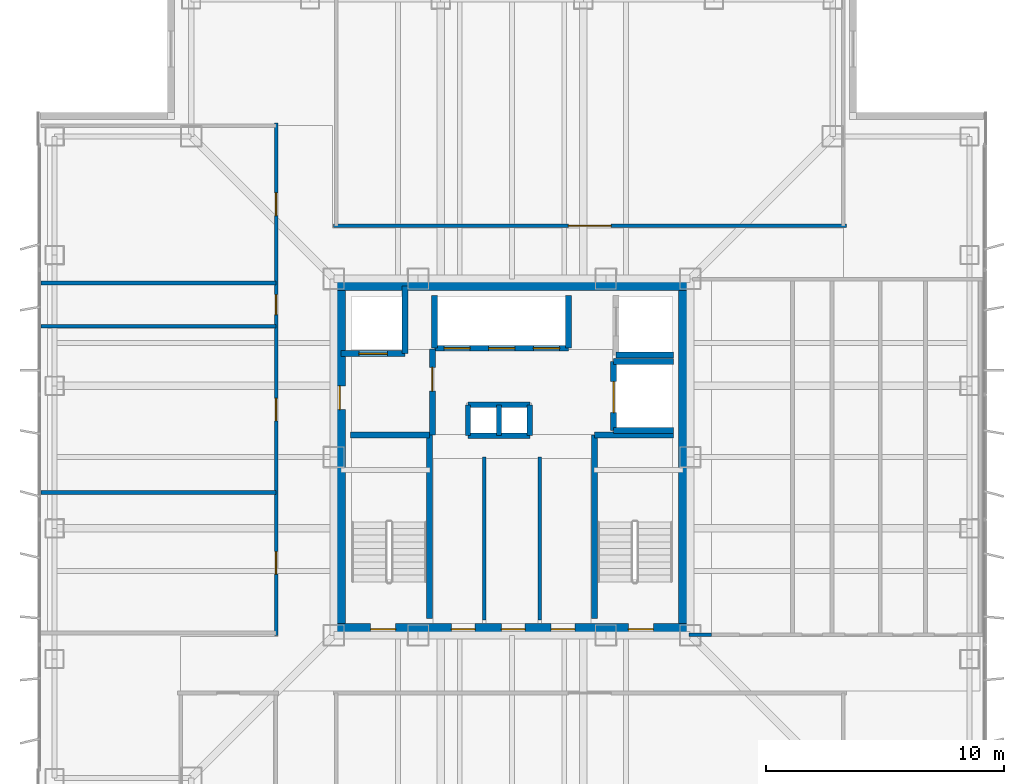
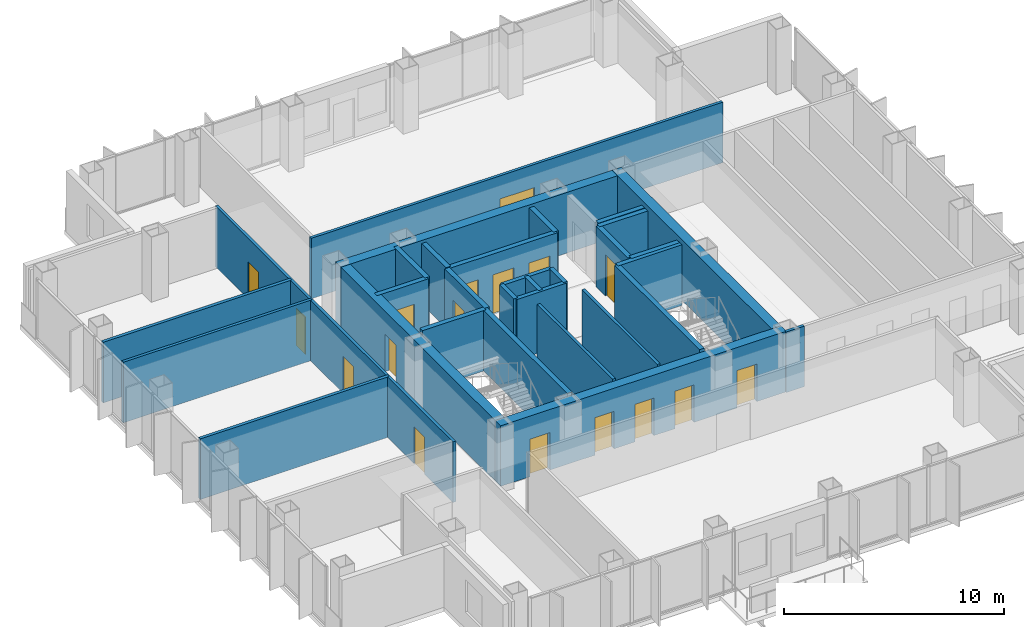
# One storey, part 9 of 13: 31 walls, 17 doors, 17 openings.
"""IFC4 building model written with IfcOpenShell, lengths in metres."""

from ifc_helpers import new_model, si_unit, direction, frame, frame_2d, origin, place, context, subcontext, project, spatial, rectangle, extrude, material, layer, layer_set, type_object, element, fill, save


model = new_model("IFC4")

# Units and contexts
model_context = context("Model", 3, precision=1e-05, world=origin(), true_north=direction((0.0, 1.0)))
body_context = subcontext(model_context, "Body", "Model", "MODEL_VIEW")
ifc_project = project(units=[si_unit("LENGTHUNIT", "METRE"), si_unit("AREAUNIT", "SQUARE_METRE"), si_unit("VOLUMEUNIT", "CUBIC_METRE"), si_unit("PLANEANGLEUNIT", "RADIAN"), si_unit("MASSUNIT", "GRAM", prefix="KILO")], contexts=[model_context])

# Site, building, storey
site_placement = place(None, origin())
site = spatial("IfcSite", under=ifc_project, at=site_placement, CompositionType="ELEMENT")
building_placement = place(site_placement, origin())
building = spatial("IfcBuilding", under=site, at=building_placement, Name="Trevonay Congress Spire", CompositionType="ELEMENT")
storey_placement = place(building_placement, frame((0.0, 0.0, 205.800048828125)))
storey = spatial("IfcBuildingStorey", under=building, at=storey_placement, Name="L53", CompositionType="ELEMENT", Elevation=205.800048828125)

# Wall, openings, doors
ifc_material_1 = material(Name="Concrete C50/60", Category="concrete")
ifc_layer_1 = layer(ifc_material_1, 0.5, Name="Concrete C50/60")
ifc_layer_set_1 = layer_set([ifc_layer_1], Name="Concrete C50/60")
wall_type_1 = type_object("IfcWallType", Name="WAL-CORE-500", PredefinedType="SHEAR", material=ifc_layer_set_1)
wall_1_placement = place(storey_placement, frame((-7.5, -7.25, 0.0), z_axis=(0.0, 0.0, 1.0), x_axis=(1.0, 0.0, 0.0)))
wall_1 = element("IfcWall", 1, at=wall_1_placement, inside=storey, type_object=wall_type_1, Name="L53 South structural core shear wall", PredefinedType="SHEAR", context=body_context, shape_type="SweptSolid", body=[
    extrude(rectangle(XDim=15.0, YDim=0.5, at=frame_2d((7.5, 0.0))), origin(), (0.0, 0.0, 1.0), 3.35986328125),
])
opening_1_placement = place(wall_1_placement, frame((1.550048828125, 0.0, 0.0)))
opening_1 = element("IfcOpeningElement", 2, at=opening_1_placement, cuts=wall_1, Name="Opening D05", PredefinedType="OPENING", context=body_context, shape_type="SweptSolid", body=[
    extrude(rectangle(XDim=1.050048828125, YDim=2.080078125, at=frame_2d((0.52490234375, 1.0400390625))), frame((0.0, 0.260009765625, 0.0), z_axis=(0.0, -1.0, 0.0), x_axis=(1.0, 0.0, 0.0)), (0.0, 0.0, 1.0), 0.52001953125),
])
opening_2_placement = place(wall_1_placement, frame((12.39990234375, 0.0, 0.0)))
opening_2 = element("IfcOpeningElement", 3, at=opening_2_placement, cuts=wall_1, Name="Opening D05", PredefinedType="OPENING", context=body_context, shape_type="SweptSolid", body=[
    extrude(rectangle(XDim=1.050048828125, YDim=2.080078125, at=frame_2d((0.52490234375, 1.0400390625))), frame((0.0, 0.260009765625, 0.0), z_axis=(0.0, -1.0, 0.0), x_axis=(1.0, 0.0, 0.0)), (0.0, 0.0, 1.0), 0.52001953125),
])
opening_3_placement = place(wall_1_placement, frame((4.949951171875, 0.0, 0.0)))
opening_3 = element("IfcOpeningElement", 4, at=opening_3_placement, cuts=wall_1, Name="Opening D06", PredefinedType="OPENING", context=body_context, shape_type="SweptSolid", body=[
    extrude(rectangle(XDim=1.0, YDim=2.080078125, at=frame_2d((0.5, 1.0400390625))), frame((0.0, 0.260009765625, 0.0), z_axis=(0.0, -1.0, 0.0), x_axis=(1.0, 0.0, 0.0)), (0.0, 0.0, 1.0), 0.52001953125),
])
opening_4_placement = place(wall_1_placement, frame((7.050048828125, 0.0, 0.0)))
opening_4 = element("IfcOpeningElement", 5, at=opening_4_placement, cuts=wall_1, Name="Opening D06", PredefinedType="OPENING", context=body_context, shape_type="SweptSolid", body=[
    extrude(rectangle(XDim=1.0, YDim=2.080078125, at=frame_2d((0.5, 1.0400390625))), frame((0.0, 0.260009765625, 0.0), z_axis=(0.0, -1.0, 0.0), x_axis=(1.0, 0.0, 0.0)), (0.0, 0.0, 1.0), 0.52001953125),
])
opening_5_placement = place(wall_1_placement, frame((9.14990234375, 0.0, 0.0)))
opening_5 = element("IfcOpeningElement", 6, at=opening_5_placement, cuts=wall_1, Name="Opening D06", PredefinedType="OPENING", context=body_context, shape_type="SweptSolid", body=[
    extrude(rectangle(XDim=1.0, YDim=2.080078125, at=frame_2d((0.5, 1.0400390625))), frame((0.0, 0.260009765625, 0.0), z_axis=(0.0, -1.0, 0.0), x_axis=(1.0, 0.0, 0.0)), (0.0, 0.0, 1.0), 0.52001953125),
])
ifc_material_2 = material(Name="Steel ASTM A572 Grade 50", Category="steel")
door_type_1 = type_object("IfcDoorType", Name="DOR-FIRE-100", OperationType="NOTDEFINED", PredefinedType="DOOR", material=ifc_material_2)
door_1_placement = place(opening_3_placement, origin())
door_1 = element("IfcDoor", 7, at=door_1_placement, inside=storey, type_object=door_type_1, Name="L53 South Core Room 1 Door", OperationType="SINGLE_SWING_RIGHT", OverallHeight=2.080078125, OverallWidth=1.0, PredefinedType="DOOR", context=body_context, shape_type="SweptSolid", body=[
    extrude(rectangle(XDim=1.0, YDim=2.080078125, at=frame_2d((0.5, 1.0400390625))), frame((0.0, 0.02490234375, 0.0), z_axis=(0.0, -1.0, 0.0), x_axis=(1.0, 0.0, 0.0)), (0.0, 0.0, 1.0), 0.050048828125),
])
fill(opening_3, door_1)
door_2_placement = place(opening_4_placement, origin())
door_2 = element("IfcDoor", 8, at=door_2_placement, inside=storey, type_object=door_type_1, Name="L53 South Core Room 2 Door", OperationType="SINGLE_SWING_LEFT", OverallHeight=2.080078125, OverallWidth=1.0, PredefinedType="DOOR", context=body_context, shape_type="SweptSolid", body=[
    extrude(rectangle(XDim=1.0, YDim=2.080078125, at=frame_2d((0.5, 1.0400390625))), frame((0.0, 0.02490234375, 0.0), z_axis=(0.0, -1.0, 0.0), x_axis=(1.0, 0.0, 0.0)), (0.0, 0.0, 1.0), 0.050048828125),
])
fill(opening_4, door_2)
door_3_placement = place(opening_5_placement, origin())
door_3 = element("IfcDoor", 9, at=door_3_placement, inside=storey, type_object=door_type_1, Name="L53 South Core Room 3 Door", OperationType="SINGLE_SWING_RIGHT", OverallHeight=2.080078125, OverallWidth=1.0, PredefinedType="DOOR", context=body_context, shape_type="SweptSolid", body=[
    extrude(rectangle(XDim=1.0, YDim=2.080078125, at=frame_2d((0.5, 1.0400390625))), frame((0.0, 0.02490234375, 0.0), z_axis=(0.0, -1.0, 0.0), x_axis=(1.0, 0.0, 0.0)), (0.0, 0.0, 1.0), 0.050048828125),
])
fill(opening_5, door_3)
door_type_2 = type_object("IfcDoorType", Name="DOR-STAIR-110", OperationType="NOTDEFINED", PredefinedType="DOOR", material=ifc_material_2)
door_4_placement = place(opening_1_placement, origin())
door_4 = element("IfcDoor", 10, at=door_4_placement, inside=storey, type_object=door_type_2, Name="L53 Protected Stair ST-1 Door", OperationType="SINGLE_SWING_LEFT", OverallHeight=2.080078125, OverallWidth=1.050048828125, PredefinedType="DOOR", context=body_context, shape_type="SweptSolid", body=[
    extrude(rectangle(XDim=1.050048828125, YDim=2.080078125, at=frame_2d((0.52490234375, 1.0400390625))), frame((0.0, 0.02490234375, 0.0), z_axis=(0.0, -1.0, 0.0), x_axis=(1.0, 0.0, 0.0)), (0.0, 0.0, 1.0), 0.050048828125),
])
fill(opening_1, door_4)
door_5_placement = place(opening_2_placement, origin())
door_5 = element("IfcDoor", 11, at=door_5_placement, inside=storey, type_object=door_type_2, Name="L53 Protected Stair ST-2 Door", OperationType="SINGLE_SWING_RIGHT", OverallHeight=2.080078125, OverallWidth=1.050048828125, PredefinedType="DOOR", context=body_context, shape_type="SweptSolid", body=[
    extrude(rectangle(XDim=1.050048828125, YDim=2.080078125, at=frame_2d((0.52490234375, 1.0400390625))), frame((0.0, 0.02490234375, 0.0), z_axis=(0.0, -1.0, 0.0), x_axis=(1.0, 0.0, 0.0)), (0.0, 0.0, 1.0), 0.050048828125),
])
fill(opening_2, door_5)

# Wall
wall_2_placement = place(storey_placement, frame((-7.5, 7.25, 0.0), z_axis=(0.0, 0.0, 1.0), x_axis=(1.0, 0.0, 0.0)))
element("IfcWall", 12, at=wall_2_placement, inside=storey, type_object=wall_type_1, Name="L53 North structural core shear wall", PredefinedType="SHEAR", context=body_context, shape_type="SweptSolid", body=[
    extrude(rectangle(XDim=15.0, YDim=0.5, at=frame_2d((7.5, 0.0))), origin(), (0.0, 0.0, 1.0), 3.35986328125),
])

# Wall, opening, door
wall_3_placement = place(storey_placement, frame((-7.25, -7.5, 0.0), z_axis=(0.0, 0.0, 1.0), x_axis=(0.0, 1.0, 0.0)))
wall_3 = element("IfcWall", 13, at=wall_3_placement, inside=storey, type_object=wall_type_1, Name="L53 West structural core shear wall", PredefinedType="SHEAR", context=body_context, shape_type="SweptSolid", body=[
    extrude(rectangle(XDim=15.0, YDim=0.5, at=frame_2d((7.5, 0.0))), origin(), (0.0, 0.0, 1.0), 3.35986328125),
])
opening_6_placement = place(wall_3_placement, frame((9.5, 0.0, 0.0)))
opening_6 = element("IfcOpeningElement", 14, at=opening_6_placement, cuts=wall_3, Name="Opening D06", PredefinedType="OPENING", context=body_context, shape_type="SweptSolid", body=[
    extrude(rectangle(XDim=1.0, YDim=2.080078125, at=frame_2d((0.5, 1.0400390625))), frame((0.0, 0.260009765625, 0.0), z_axis=(0.0, -1.0, 0.0), x_axis=(1.0, 0.0, 0.0)), (0.0, 0.0, 1.0), 0.52001953125),
])
door_6_placement = place(opening_6_placement, origin())
door_6 = element("IfcDoor", 15, at=door_6_placement, inside=storey, type_object=door_type_1, Name="L53 Firefighting Lift Lobby West Corridor Door", OperationType="SINGLE_SWING_LEFT", OverallHeight=2.080078125, OverallWidth=1.0, PredefinedType="DOOR", context=body_context, shape_type="SweptSolid", body=[
    extrude(rectangle(XDim=1.0, YDim=2.080078125, at=frame_2d((0.5, 1.0400390625))), frame((0.0, 0.02490234375, 0.0), z_axis=(0.0, -1.0, 0.0), x_axis=(1.0, 0.0, 0.0)), (0.0, 0.0, 1.0), 0.050048828125),
])
fill(opening_6, door_6)

# Wall
wall_4_placement = place(storey_placement, frame((7.25, -7.5, 0.0), z_axis=(0.0, 0.0, 1.0), x_axis=(0.0, 1.0, 0.0)))
element("IfcWall", 16, at=wall_4_placement, inside=storey, type_object=wall_type_1, Name="L53 East structural core shear wall", PredefinedType="SHEAR", context=body_context, shape_type="SweptSolid", body=[
    extrude(rectangle(XDim=15.0, YDim=0.5, at=frame_2d((7.5, 0.0))), origin(), (0.0, 0.0, 1.0), 3.35986328125),
])

# Wall, openings, doors
ifc_material_3 = material(Name="Concrete C40/50", Category="concrete")
ifc_layer_2 = layer(ifc_material_3, 0.14990234375, Name="Concrete C40/50")
ifc_layer_set_2 = layer_set([ifc_layer_2], Name="Concrete C40/50")
wall_type_2 = type_object("IfcWallType", Name="WAL-CORR-150", PredefinedType="PARTITIONING", material=ifc_layer_set_2)
wall_5_placement = place(storey_placement, frame((-9.929931640625, -7.52001953125, 0.0), z_axis=(0.0, 0.0, 1.0), x_axis=(0.0, 1.0, 0.0)))
wall_5 = element("IfcWall", 17, at=wall_5_placement, inside=storey, type_object=wall_type_2, Name="L53 interior wall WP-L53NW-COR", PredefinedType="PARTITIONING", context=body_context, shape_type="SweptSolid", body=[
    extrude(rectangle(XDim=21.590087890625, YDim=0.14990234375, at=frame_2d((10.794921875, 0.0))), origin(), (0.0, 0.0, 1.0), 3.35986328125),
])
opening_7_placement = place(wall_5_placement, frame((2.594970703125, 0.0, 0.0)))
opening_7 = element("IfcOpeningElement", 18, at=opening_7_placement, cuts=wall_5, Name="Opening D07", PredefinedType="OPENING", context=body_context, shape_type="SweptSolid", body=[
    extrude(rectangle(XDim=0.949951171875, YDim=2.06005859375, at=frame_2d((0.47509765625, 1.030029296875))), frame((0.0, 0.0849609375, 0.0), z_axis=(0.0, -1.0, 0.0), x_axis=(1.0, 0.0, 0.0)), (0.0, 0.0, 1.0), 0.169921875),
])
opening_8_placement = place(wall_5_placement, frame((9.044921875, 0.0, 0.0)))
opening_8 = element("IfcOpeningElement", 19, at=opening_8_placement, cuts=wall_5, Name="Opening D07", PredefinedType="OPENING", context=body_context, shape_type="SweptSolid", body=[
    extrude(rectangle(XDim=0.949951171875, YDim=2.06005859375, at=frame_2d((0.47509765625, 1.030029296875))), frame((0.0, 0.0849609375, 0.0), z_axis=(0.0, -1.0, 0.0), x_axis=(1.0, 0.0, 0.0)), (0.0, 0.0, 1.0), 0.169921875),
])
opening_9_placement = place(wall_5_placement, frame((13.510009765625, 0.0, 0.0)))
opening_9 = element("IfcOpeningElement", 20, at=opening_9_placement, cuts=wall_5, Name="Opening D10", PredefinedType="OPENING", context=body_context, shape_type="SweptSolid", body=[
    extrude(rectangle(XDim=0.85009765625, YDim=2.050048828125, at=frame_2d((0.425048828125, 1.02490234375))), frame((0.0, 0.0849609375, 0.0), z_axis=(0.0, -1.0, 0.0), x_axis=(1.0, 0.0, 0.0)), (0.0, 0.0, 1.0), 0.169921875),
])
opening_10_placement = place(wall_5_placement, frame((17.68505859375, 0.0, 0.0)))
opening_10 = element("IfcOpeningElement", 21, at=opening_10_placement, cuts=wall_5, Name="Opening D07", PredefinedType="OPENING", context=body_context, shape_type="SweptSolid", body=[
    extrude(rectangle(XDim=0.949951171875, YDim=2.06005859375, at=frame_2d((0.47509765625, 1.030029296875))), frame((0.0, 0.0849609375, 0.0), z_axis=(0.0, -1.0, 0.0), x_axis=(1.0, 0.0, 0.0)), (0.0, 0.0, 1.0), 0.169921875),
])
ifc_material_4 = material(Name="Pale Anodised Aluminium EN AW-6063-T6", Category="aluminium")
door_type_3 = type_object("IfcDoorType", Name="DOR-OFFICE-95", OperationType="NOTDEFINED", PredefinedType="DOOR", material=ifc_material_4)
door_7_placement = place(opening_7_placement, origin())
door_7 = element("IfcDoor", 22, at=door_7_placement, inside=storey, type_object=door_type_3, Name="L53 Hydrotherapy Lounge Door", OperationType="SINGLE_SWING_LEFT", OverallHeight=2.06005859375, OverallWidth=0.949951171875, PredefinedType="DOOR", context=body_context, shape_type="SweptSolid", body=[
    extrude(rectangle(XDim=0.949951171875, YDim=2.06005859375, at=frame_2d((0.47509765625, 1.030029296875))), frame((0.0, 0.02490234375, 0.0), z_axis=(0.0, -1.0, 0.0), x_axis=(1.0, 0.0, 0.0)), (0.0, 0.0, 1.0), 0.050048828125),
])
fill(opening_7, door_7)
door_8_placement = place(opening_8_placement, origin())
door_8 = element("IfcDoor", 23, at=door_8_placement, inside=storey, type_object=door_type_3, Name="L53 Spa Treatment Lounge Door", OperationType="SINGLE_SWING_RIGHT", OverallHeight=2.06005859375, OverallWidth=0.949951171875, PredefinedType="DOOR", context=body_context, shape_type="SweptSolid", body=[
    extrude(rectangle(XDim=0.949951171875, YDim=2.06005859375, at=frame_2d((0.47509765625, 1.030029296875))), frame((0.0, 0.02490234375, 0.0), z_axis=(0.0, -1.0, 0.0), x_axis=(1.0, 0.0, 0.0)), (0.0, 0.0, 1.0), 0.050048828125),
])
fill(opening_8, door_8)
door_9_placement = place(opening_10_placement, origin())
door_9 = element("IfcDoor", 24, at=door_9_placement, inside=storey, type_object=door_type_3, Name="L53 Floor Supplies and Copy Room Door", OperationType="SINGLE_SWING_RIGHT", OverallHeight=2.06005859375, OverallWidth=0.949951171875, PredefinedType="DOOR", context=body_context, shape_type="SweptSolid", body=[
    extrude(rectangle(XDim=0.949951171875, YDim=2.06005859375, at=frame_2d((0.47509765625, 1.030029296875))), frame((0.0, 0.02490234375, 0.0), z_axis=(0.0, -1.0, 0.0), x_axis=(1.0, 0.0, 0.0)), (0.0, 0.0, 1.0), 0.050048828125),
])
fill(opening_10, door_9)
door_type_4 = type_object("IfcDoorType", Name="DOR-WC-85", OperationType="NOTDEFINED", PredefinedType="DOOR", material=ifc_material_4)
door_10_placement = place(opening_9_placement, origin())
door_10 = element("IfcDoor", 25, at=door_10_placement, inside=storey, type_object=door_type_4, Name="L53 Accessible WC Door", OperationType="SINGLE_SWING_LEFT", OverallHeight=2.050048828125, OverallWidth=0.85009765625, PredefinedType="DOOR", context=body_context, shape_type="SweptSolid", body=[
    extrude(rectangle(XDim=0.85009765625, YDim=2.050048828125, at=frame_2d((0.425048828125, 1.02490234375))), frame((0.0, 0.02490234375, 0.0), z_axis=(0.0, -1.0, 0.0), x_axis=(1.0, 0.0, 0.0)), (0.0, 0.0, 1.0), 0.050048828125),
])
fill(opening_9, door_10)

# Wall, opening, door
wall_6_placement = place(storey_placement, frame((-7.52001953125, 9.72998046875, 0.0), z_axis=(0.0, 0.0, 1.0), x_axis=(1.0, 0.0, 0.0)))
wall_6 = element("IfcWall", 26, at=wall_6_placement, inside=storey, type_object=wall_type_2, Name="L53 interior wall WP-L53N-COR", PredefinedType="PARTITIONING", context=body_context, shape_type="SweptSolid", body=[
    extrude(rectangle(XDim=21.590087890625, YDim=0.14990234375, at=frame_2d((10.794921875, 0.0))), origin(), (0.0, 0.0, 1.0), 3.35986328125),
])
opening_11_placement = place(wall_6_placement, frame((9.89501953125, 0.0, 0.0)))
opening_11 = element("IfcOpeningElement", 27, at=opening_11_placement, cuts=wall_6, Name="Opening D09", PredefinedType="OPENING", context=body_context, shape_type="SweptSolid", body=[
    extrude(rectangle(XDim=1.800048828125, YDim=2.080078125, at=frame_2d((0.89990234375, 1.0400390625))), frame((0.0, 0.0849609375, 0.0), z_axis=(0.0, -1.0, 0.0), x_axis=(1.0, 0.0, 0.0)), (0.0, 0.0, 1.0), 0.169921875),
])
door_type_5 = type_object("IfcDoorType", Name="DOR-CONF-DBL", OperationType="DOUBLE_DOOR_SINGLE_SWING", PredefinedType="DOOR", material=ifc_material_4)
door_11_placement = place(opening_11_placement, origin())
door_11 = element("IfcDoor", 28, at=door_11_placement, inside=storey, type_object=door_type_5, Name="L53 Sky Pilates and Fitness Studio Lounge Door", OperationType="DOUBLE_DOOR_SINGLE_SWING", OverallHeight=2.080078125, OverallWidth=1.800048828125, PredefinedType="DOOR", context=body_context, shape_type="SweptSolid", body=[
    extrude(rectangle(XDim=1.800048828125, YDim=2.080078125, at=frame_2d((0.89990234375, 1.0400390625))), frame((0.0, 0.02490234375, 0.0), z_axis=(0.0, -1.0, 0.0), x_axis=(1.0, 0.0, 0.0)), (0.0, 0.0, 1.0), 0.050048828125),
])
fill(opening_11, door_11)

# Walls
wall_7_placement = place(storey_placement, frame((7.449951171875, -7.47998046875, 0.0), z_axis=(0.0, 0.0, 1.0), x_axis=(1.0, 0.0, 0.0)))
element("IfcWall", 29, at=wall_7_placement, inside=storey, type_object=wall_type_2, Name="L53 interior wall WP-L53E-STUB", PredefinedType="PARTITIONING", context=body_context, shape_type="SweptSolid", body=[
    extrude(rectangle(XDim=0.949951171875, YDim=0.14990234375, at=frame_2d((0.47509765625, 0.0))), origin(), (0.0, 0.0, 1.0), 3.35986328125),
])
ifc_layer_3 = layer(ifc_material_3, 0.14990234375, Name="Concrete C40/50")
ifc_layer_set_3 = layer_set([ifc_layer_3], Name="Concrete C40/50")
wall_type_3 = type_object("IfcWallType", Name="WAL-PART-150", PredefinedType="PARTITIONING", material=ifc_layer_set_3)
for number, where, z_axis, x_axis, name in (
    (30, (-1.169921875, -6.85009765625, 0.0), (0.0, 0.0, 1.0), (0.0, 1.0, 0.0), "L53 interior wall CW-F2A-L53"),
    (31, (1.169921875, -6.85009765625, 0.0), (0.0, 0.0, 1.0), (0.0, 1.0, 0.0), "L53 interior wall CW-F2B-L53"),
):
    element("IfcWall", number, at=place(storey_placement, frame(where, z_axis=z_axis, x_axis=x_axis)), inside=storey, type_object=wall_type_3, Name=name, PredefinedType="PARTITIONING", context=body_context, shape_type="SweptSolid", body=[
        extrude(rectangle(XDim=6.85009765625, YDim=0.14990234375, at=frame_2d((3.425048828125, 0.0))), origin(), (0.0, 0.0, 1.0), 3.35986328125),
    ])
wall_8_placement = place(storey_placement, frame((-19.820068359375, 5.5, 0.0), z_axis=(0.0, 0.0, 1.0), x_axis=(1.0, 0.0, 0.0)))
element("IfcWall", 32, at=wall_8_placement, inside=storey, type_object=wall_type_3, Name="L53 interior wall WP-L53NW-DIV3", PredefinedType="PARTITIONING", context=body_context, shape_type="SweptSolid", body=[
    extrude(rectangle(XDim=9.89013671875, YDim=0.14990234375, at=frame_2d((4.945068359375, 0.0))), origin(), (0.0, 0.0, 1.0), 3.35986328125),
])
ifc_layer_4 = layer(ifc_material_3, 0.219970703125, Name="Concrete C40/50")
ifc_layer_set_4 = layer_set([ifc_layer_4], Name="Concrete C40/50")
wall_type_4 = type_object("IfcWallType", Name="WAL-SHAFT-220", PredefinedType="PARTITIONING", material=ifc_layer_set_4)
for number, where, z_axis, x_axis, name in (
    (33, (-1.85009765625, 2.199951171875, 0.0), (0.0, 0.0, 1.0), (1.0, 0.0, 0.0), "L53 interior shaft wall WSH-L53-RSR-N"),
    (34, (-1.85009765625, 0.89990234375, 0.0), (0.0, 0.0, 1.0), (1.0, 0.0, 0.0), "L53 interior shaft wall WSH-L53-RSR-S"),
):
    element("IfcWall", number, at=place(storey_placement, frame(where, z_axis=z_axis, x_axis=x_axis)), inside=storey, type_object=wall_type_4, Name=name, PredefinedType="PARTITIONING", context=body_context, shape_type="SweptSolid", body=[
        extrude(rectangle(XDim=2.60009765625, YDim=0.219970703125, at=frame_2d((1.300048828125, 0.0))), origin(), (0.0, 0.0, 1.0), 3.35986328125),
    ])
for number, where, z_axis, x_axis, name in (
    (35, (-0.550048828125, 0.89990234375, 0.0), (0.0, 0.0, 1.0), (0.0, 1.0, 0.0), "L53 interior shaft wall WSH-L53-RSR-M"),
    (36, (0.75, 0.89990234375, 0.0), (0.0, 0.0, 1.0), (0.0, 1.0, 0.0), "L53 interior shaft wall WSH-L53-RSR-E"),
    (37, (-1.85009765625, 0.89990234375, 0.0), (0.0, 0.0, 1.0), (0.0, 1.0, 0.0), "L53 interior shaft wall WSH-L53-RSR-W"),
):
    element("IfcWall", number, at=place(storey_placement, frame(where, z_axis=z_axis, x_axis=x_axis)), inside=storey, type_object=wall_type_4, Name=name, PredefinedType="PARTITIONING", context=body_context, shape_type="SweptSolid", body=[
        extrude(rectangle(XDim=1.300048828125, YDim=0.219970703125, at=frame_2d((0.64990234375, 0.0))), origin(), (0.0, 0.0, 1.0), 3.35986328125),
    ])

# Wall, openings, doors
ifc_layer_5 = layer(ifc_material_3, 0.25, Name="Concrete C40/50")
ifc_layer_set_5 = layer_set([ifc_layer_5], Name="Concrete C40/50")
wall_type_5 = type_object("IfcWallType", Name="WAL-SHAFT-250", PredefinedType="SHEAR", material=ifc_layer_set_5)
wall_9_placement = place(storey_placement, frame((-3.260009765625, 4.580078125, 0.0), z_axis=(0.0, 0.0, 1.0), x_axis=(1.0, 0.0, 0.0)))
wall_9 = element("IfcWall", 38, at=wall_9_placement, inside=storey, type_object=wall_type_5, Name="L53 interior shaft wall WSH-L53-B3-S", PredefinedType="SHEAR", context=body_context, shape_type="SweptSolid", body=[
    extrude(rectangle(XDim=5.639892578125, YDim=0.25, at=frame_2d((2.81982421875, 0.0))), origin(), (0.0, 0.0, 1.0), 3.35986328125),
])
opening_12_placement = place(wall_9_placement, frame((0.39990234375, 0.0, 0.0)))
opening_12 = element("IfcOpeningElement", 39, at=opening_12_placement, cuts=wall_9, Name="Opening LD03", PredefinedType="OPENING", context=body_context, shape_type="SweptSolid", body=[
    extrude(rectangle(XDim=1.10009765625, YDim=2.199951171875, at=frame_2d((0.550048828125, 1.10009765625))), frame((0.0, 0.135009765625, 0.0), z_axis=(0.0, -1.0, 0.0), x_axis=(1.0, 0.0, 0.0)), (0.0, 0.0, 1.0), 0.27001953125),
])
opening_13_placement = place(wall_9_placement, frame((2.280029296875, 0.0, 0.0)))
opening_13 = element("IfcOpeningElement", 40, at=opening_13_placement, cuts=wall_9, Name="Opening LD03", PredefinedType="OPENING", context=body_context, shape_type="SweptSolid", body=[
    extrude(rectangle(XDim=1.10009765625, YDim=2.199951171875, at=frame_2d((0.550048828125, 1.10009765625))), frame((0.0, 0.135009765625, 0.0), z_axis=(0.0, -1.0, 0.0), x_axis=(1.0, 0.0, 0.0)), (0.0, 0.0, 1.0), 0.27001953125),
])
opening_14_placement = place(wall_9_placement, frame((4.159912109375, 0.0, 0.0)))
opening_14 = element("IfcOpeningElement", 41, at=opening_14_placement, cuts=wall_9, Name="Opening LD03", PredefinedType="OPENING", context=body_context, shape_type="SweptSolid", body=[
    extrude(rectangle(XDim=1.10009765625, YDim=2.199951171875, at=frame_2d((0.550048828125, 1.10009765625))), frame((0.0, 0.135009765625, 0.0), z_axis=(0.0, -1.0, 0.0), x_axis=(1.0, 0.0, 0.0)), (0.0, 0.0, 1.0), 0.27001953125),
])
door_type_6 = type_object("IfcDoorType", Name="DOR-LIFT-LD03", OperationType="DOUBLE_DOOR_SLIDING", PredefinedType="DOOR", material=ifc_material_4)
door_12_placement = place(opening_12_placement, origin())
door_12 = element("IfcDoor", 42, at=door_12_placement, inside=storey, type_object=door_type_6, Name="L53 Passenger lift PL-07 landing door", OperationType="DOUBLE_DOOR_SLIDING", OverallHeight=2.199951171875, OverallWidth=1.10009765625, PredefinedType="DOOR", context=body_context, shape_type="SweptSolid", body=[
    extrude(rectangle(XDim=1.10009765625, YDim=2.199951171875, at=frame_2d((0.550048828125, 1.10009765625))), frame((0.0, 0.02490234375, 0.0), z_axis=(0.0, -1.0, 0.0), x_axis=(1.0, 0.0, 0.0)), (0.0, 0.0, 1.0), 0.050048828125),
])
fill(opening_12, door_12)
door_13_placement = place(opening_13_placement, origin())
door_13 = element("IfcDoor", 43, at=door_13_placement, inside=storey, type_object=door_type_6, Name="L53 Passenger lift PL-08 landing door", OperationType="DOUBLE_DOOR_SLIDING", OverallHeight=2.199951171875, OverallWidth=1.10009765625, PredefinedType="DOOR", context=body_context, shape_type="SweptSolid", body=[
    extrude(rectangle(XDim=1.10009765625, YDim=2.199951171875, at=frame_2d((0.550048828125, 1.10009765625))), frame((0.0, 0.02490234375, 0.0), z_axis=(0.0, -1.0, 0.0), x_axis=(1.0, 0.0, 0.0)), (0.0, 0.0, 1.0), 0.050048828125),
])
fill(opening_13, door_13)
door_14_placement = place(opening_14_placement, origin())
door_14 = element("IfcDoor", 44, at=door_14_placement, inside=storey, type_object=door_type_6, Name="L53 Passenger lift PL-09 landing door", OperationType="DOUBLE_DOOR_SLIDING", OverallHeight=2.199951171875, OverallWidth=1.10009765625, PredefinedType="DOOR", context=body_context, shape_type="SweptSolid", body=[
    extrude(rectangle(XDim=1.10009765625, YDim=2.199951171875, at=frame_2d((0.550048828125, 1.10009765625))), frame((0.0, 0.02490234375, 0.0), z_axis=(0.0, -1.0, 0.0), x_axis=(1.0, 0.0, 0.0)), (0.0, 0.0, 1.0), 0.050048828125),
])
fill(opening_14, door_14)

# Walls
for number, where, z_axis, x_axis, name in (
    (45, (-3.260009765625, 4.580078125, 0.0), (0.0, 0.0, 1.0), (0.0, 1.0, 0.0), "L53 interior shaft wall WSH-L53-B3-W"),
    (46, (2.3798828125, 4.580078125, 0.0), (0.0, 0.0, 1.0), (0.0, 1.0, 0.0), "L53 interior shaft wall WSH-L53-B3-E"),
):
    element("IfcWall", number, at=place(storey_placement, frame(where, z_axis=z_axis, x_axis=x_axis)), inside=storey, type_object=wall_type_5, Name=name, PredefinedType="SHEAR", context=body_context, shape_type="SweptSolid", body=[
        extrude(rectangle(XDim=2.219970703125, YDim=0.25, at=frame_2d((1.10986328125, 0.0))), origin(), (0.0, 0.0, 1.0), 3.35986328125),
    ])

# Wall, opening, door
wall_10_placement = place(storey_placement, frame((-7.199951171875, 4.35009765625, 0.0), z_axis=(0.0, 0.0, 1.0), x_axis=(1.0, 0.0, 0.0)))
wall_10 = element("IfcWall", 47, at=wall_10_placement, inside=storey, type_object=wall_type_5, Name="L53 interior shaft wall WSH-L53-FF1-S", PredefinedType="SHEAR", context=body_context, shape_type="SweptSolid", body=[
    extrude(rectangle(XDim=2.699951171875, YDim=0.25, at=frame_2d((1.35009765625, 0.0))), origin(), (0.0, 0.0, 1.0), 3.35986328125),
])
opening_15_placement = place(wall_10_placement, frame((0.75, 0.0, 0.0)))
opening_15 = element("IfcOpeningElement", 48, at=opening_15_placement, cuts=wall_10, Name="Opening LD04", PredefinedType="OPENING", context=body_context, shape_type="SweptSolid", body=[
    extrude(rectangle(XDim=1.199951171875, YDim=2.199951171875, at=frame_2d((0.60009765625, 1.10009765625))), frame((0.0, 0.135009765625, 0.0), z_axis=(0.0, -1.0, 0.0), x_axis=(1.0, 0.0, 0.0)), (0.0, 0.0, 1.0), 0.27001953125),
])
door_type_7 = type_object("IfcDoorType", Name="DOR-LIFT-LD04", OperationType="DOUBLE_DOOR_SLIDING", PredefinedType="DOOR", material=ifc_material_2)
door_15_placement = place(opening_15_placement, origin())
door_15 = element("IfcDoor", 49, at=door_15_placement, inside=storey, type_object=door_type_7, Name="L53 Firefighting lift FFL-01 landing door", OperationType="DOUBLE_DOOR_SLIDING", OverallHeight=2.199951171875, OverallWidth=1.199951171875, PredefinedType="DOOR", context=body_context, shape_type="SweptSolid", body=[
    extrude(rectangle(XDim=1.199951171875, YDim=2.199951171875, at=frame_2d((0.60009765625, 1.10009765625))), frame((0.0, 0.02490234375, 0.0), z_axis=(0.0, -1.0, 0.0), x_axis=(1.0, 0.0, 0.0)), (0.0, 0.0, 1.0), 0.050048828125),
])
fill(opening_15, door_15)

# Walls
wall_11_placement = place(storey_placement, frame((-4.5, 4.35009765625, 0.0), z_axis=(0.0, 0.0, 1.0), x_axis=(0.0, 1.0, 0.0)))
element("IfcWall", 50, at=wall_11_placement, inside=storey, type_object=wall_type_5, Name="L53 interior shaft wall WSH-L53-FF1-E", PredefinedType="SHEAR", context=body_context, shape_type="SweptSolid", body=[
    extrude(rectangle(XDim=2.849853515625, YDim=0.25, at=frame_2d((1.4248046875, 0.0))), origin(), (0.0, 0.0, 1.0), 3.35986328125),
])
wall_12_placement = place(storey_placement, frame((4.3798828125, 4.300048828125, 0.0), z_axis=(0.0, 0.0, 1.0), x_axis=(1.0, 0.0, 0.0)))
element("IfcWall", 51, at=wall_12_placement, inside=storey, type_object=wall_type_5, Name="L53 interior shaft wall WSH-L53-FF2-S", PredefinedType="SHEAR", context=body_context, shape_type="SweptSolid", body=[
    extrude(rectangle(XDim=2.420166015625, YDim=0.25, at=frame_2d((1.2099609375, 0.0))), origin(), (0.0, 0.0, 1.0), 3.35986328125),
])

# Wall, opening, door
wall_13_placement = place(storey_placement, frame((4.280029296875, 1.1201171875, 0.0), z_axis=(0.0, 0.0, 1.0), x_axis=(0.0, 1.0, 0.0)))
wall_13 = element("IfcWall", 52, at=wall_13_placement, inside=storey, type_object=wall_type_5, Name="L53 interior shaft wall WSH-L53-SV-W", PredefinedType="SHEAR", context=body_context, shape_type="SweptSolid", body=[
    extrude(rectangle(XDim=2.89990234375, YDim=0.25, at=frame_2d((1.449951171875, 0.0))), origin(), (0.0, 0.0, 1.0), 3.35986328125),
])
opening_16_placement = place(wall_13_placement, frame((0.75, 0.0, 0.0)))
opening_16 = element("IfcOpeningElement", 53, at=opening_16_placement, cuts=wall_13, Name="Opening LD05", PredefinedType="OPENING", context=body_context, shape_type="SweptSolid", body=[
    extrude(rectangle(XDim=1.300048828125, YDim=2.300048828125, at=frame_2d((0.64990234375, 1.14990234375))), frame((0.0, 0.135009765625, 0.0), z_axis=(0.0, -1.0, 0.0), x_axis=(1.0, 0.0, 0.0)), (0.0, 0.0, 1.0), 0.27001953125),
])
door_type_8 = type_object("IfcDoorType", Name="DOR-LIFT-LD05", OperationType="DOUBLE_DOOR_SLIDING", PredefinedType="DOOR", material=ifc_material_2)
door_16_placement = place(opening_16_placement, origin())
door_16 = element("IfcDoor", 54, at=door_16_placement, inside=storey, type_object=door_type_8, Name="L53 Goods lift SVL-01 landing door", OperationType="DOUBLE_DOOR_SLIDING", OverallHeight=2.300048828125, OverallWidth=1.300048828125, PredefinedType="DOOR", context=body_context, shape_type="SweptSolid", body=[
    extrude(rectangle(XDim=1.300048828125, YDim=2.300048828125, at=frame_2d((0.64990234375, 1.14990234375))), frame((0.0, 0.02490234375, 0.0), z_axis=(0.0, -1.0, 0.0), x_axis=(1.0, 0.0, 0.0)), (0.0, 0.0, 1.0), 0.050048828125),
])
fill(opening_16, door_16)

# Walls
for number, where, z_axis, x_axis, name in (
    (55, (4.280029296875, 1.1201171875, 0.0), (0.0, 0.0, 1.0), (1.0, 0.0, 0.0), "L53 interior shaft wall WSH-L53-SV-S"),
    (56, (4.280029296875, 4.02001953125, 0.0), (0.0, 0.0, 1.0), (1.0, 0.0, 0.0), "L53 interior shaft wall WSH-L53-SV-N"),
):
    element("IfcWall", number, at=place(storey_placement, frame(where, z_axis=z_axis, x_axis=x_axis)), inside=storey, type_object=wall_type_5, Name=name, PredefinedType="SHEAR", context=body_context, shape_type="SweptSolid", body=[
        extrude(rectangle(XDim=2.52001953125, YDim=0.25, at=frame_2d((1.260009765625, 0.0))), origin(), (0.0, 0.0, 1.0), 3.35986328125),
    ])

# Wall, opening, door
wall_14_placement = place(storey_placement, frame((-3.35009765625, 0.919921875, 0.0), z_axis=(0.0, 0.0, 1.0), x_axis=(0.0, 1.0, 0.0)))
wall_14 = element("IfcWall", 57, at=wall_14_placement, inside=storey, type_object=wall_type_5, Name="L53 interior wall CW-FFLW-E-L53", PredefinedType="SHEAR", context=body_context, shape_type="SweptSolid", body=[
    extrude(rectangle(XDim=3.6201171875, YDim=0.25, at=frame_2d((1.81005859375, 0.0))), origin(), (0.0, 0.0, 1.0), 3.35986328125),
])
opening_17_placement = place(wall_14_placement, frame((1.85009765625, 0.0, 0.0)))
opening_17 = element("IfcOpeningElement", 58, at=opening_17_placement, cuts=wall_14, Name="Opening D06", PredefinedType="OPENING", context=body_context, shape_type="SweptSolid", body=[
    extrude(rectangle(XDim=1.0, YDim=2.080078125, at=frame_2d((0.5, 1.0400390625))), frame((0.0, 0.135009765625, 0.0), z_axis=(0.0, -1.0, 0.0), x_axis=(1.0, 0.0, 0.0)), (0.0, 0.0, 1.0), 0.27001953125),
])
door_17_placement = place(opening_17_placement, origin())
door_17 = element("IfcDoor", 59, at=door_17_placement, inside=storey, type_object=door_type_1, Name="L53 Firefighting Core Lobby Transfer Door", OperationType="SINGLE_SWING_LEFT", OverallHeight=2.080078125, OverallWidth=1.0, PredefinedType="DOOR", context=body_context, shape_type="SweptSolid", body=[
    extrude(rectangle(XDim=1.0, YDim=2.080078125, at=frame_2d((0.5, 1.0400390625))), frame((0.0, 0.02490234375, 0.0), z_axis=(0.0, -1.0, 0.0), x_axis=(1.0, 0.0, 0.0)), (0.0, 0.0, 1.0), 0.050048828125),
])
fill(opening_17, door_17)

# Walls
ifc_layer_6 = layer(ifc_material_3, 0.25, Name="Concrete C40/50")
ifc_layer_set_6 = layer_set([ifc_layer_6], Name="Concrete C40/50")
wall_type_6 = type_object("IfcWallType", Name="WAL-SHAFT-LB-250", PredefinedType="SHEAR", material=ifc_layer_set_6)
wall_15_placement = place(storey_placement, frame((-3.469970703125, -6.800048828125, 0.0), z_axis=(0.0, 0.0, 1.0), x_axis=(0.0, 1.0, 0.0)))
element("IfcWall", 60, at=wall_15_placement, inside=storey, type_object=wall_type_6, Name="L53 interior shaft wall WSH-L53-ST1-E", PredefinedType="SHEAR", context=body_context, shape_type="SweptSolid", body=[
    extrude(rectangle(XDim=7.719970703125, YDim=0.25, at=frame_2d((3.85986328125, 0.0))), origin(), (0.0, 0.0, 1.0), 3.35986328125),
])
wall_16_placement = place(storey_placement, frame((-6.800048828125, 0.919921875, 0.0), z_axis=(0.0, 0.0, 1.0), x_axis=(1.0, 0.0, 0.0)))
element("IfcWall", 61, at=wall_16_placement, inside=storey, type_object=wall_type_6, Name="L53 interior shaft wall WSH-L53-ST1-N", PredefinedType="SHEAR", context=body_context, shape_type="SweptSolid", body=[
    extrude(rectangle(XDim=3.330078125, YDim=0.25, at=frame_2d((1.6650390625, 0.0))), origin(), (0.0, 0.0, 1.0), 3.35986328125),
])
wall_17_placement = place(storey_placement, frame((3.469970703125, -6.800048828125, 0.0), z_axis=(0.0, 0.0, 1.0), x_axis=(0.0, 1.0, 0.0)))
element("IfcWall", 62, at=wall_17_placement, inside=storey, type_object=wall_type_6, Name="L53 interior shaft wall WSH-L53-ST2-W", PredefinedType="SHEAR", context=body_context, shape_type="SweptSolid", body=[
    extrude(rectangle(XDim=7.719970703125, YDim=0.25, at=frame_2d((3.85986328125, 0.0))), origin(), (0.0, 0.0, 1.0), 3.35986328125),
])
wall_18_placement = place(storey_placement, frame((3.469970703125, 0.919921875, 0.0), z_axis=(0.0, 0.0, 1.0), x_axis=(1.0, 0.0, 0.0)))
element("IfcWall", 63, at=wall_18_placement, inside=storey, type_object=wall_type_6, Name="L53 interior shaft wall WSH-L53-ST2-N", PredefinedType="SHEAR", context=body_context, shape_type="SweptSolid", body=[
    extrude(rectangle(XDim=3.330078125, YDim=0.25, at=frame_2d((1.6650390625, 0.0))), origin(), (0.0, 0.0, 1.0), 3.35986328125),
])
ifc_layer_7 = layer(ifc_material_3, 0.1650390625, Name="Concrete C40/50")
ifc_layer_set_7 = layer_set([ifc_layer_7], Name="Concrete C40/50")
wall_type_7 = type_object("IfcWallType", Name="WAL-WET-165", PredefinedType="PLUMBINGWALL", material=ifc_layer_set_7)
for number, where, z_axis, x_axis, name in (
    (64, (-19.820068359375, 7.330078125, 0.0), (0.0, 0.0, 1.0), (1.0, 0.0, 0.0), "L53 interior wall WP-L53NW-WCS3"),
    (65, (-19.820068359375, -1.5, 0.0), (0.0, 0.0, 1.0), (1.0, 0.0, 0.0), "L53 interior wall WP-L53NW-DIV2"),
):
    element("IfcWall", number, at=place(storey_placement, frame(where, z_axis=z_axis, x_axis=x_axis)), inside=storey, type_object=wall_type_7, Name=name, PredefinedType="PLUMBINGWALL", context=body_context, shape_type="SweptSolid", body=[
        extrude(rectangle(XDim=9.89013671875, YDim=0.1650390625, at=frame_2d((4.945068359375, 0.0))), origin(), (0.0, 0.0, 1.0), 3.35986328125),
    ])

save(model, "model.ifc")
